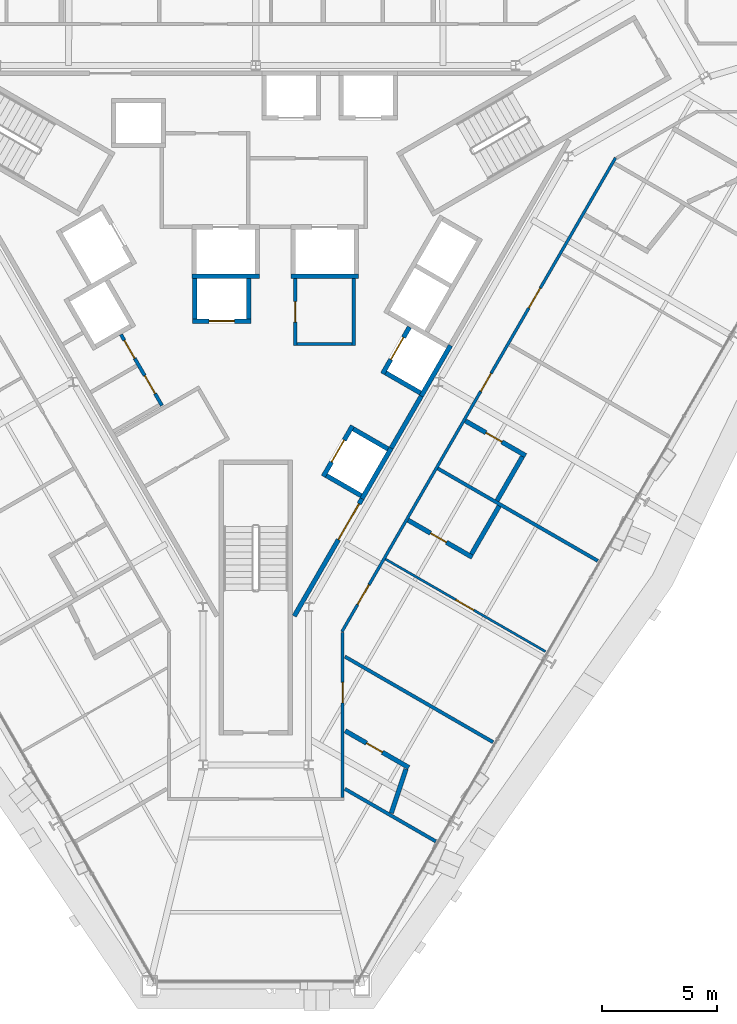
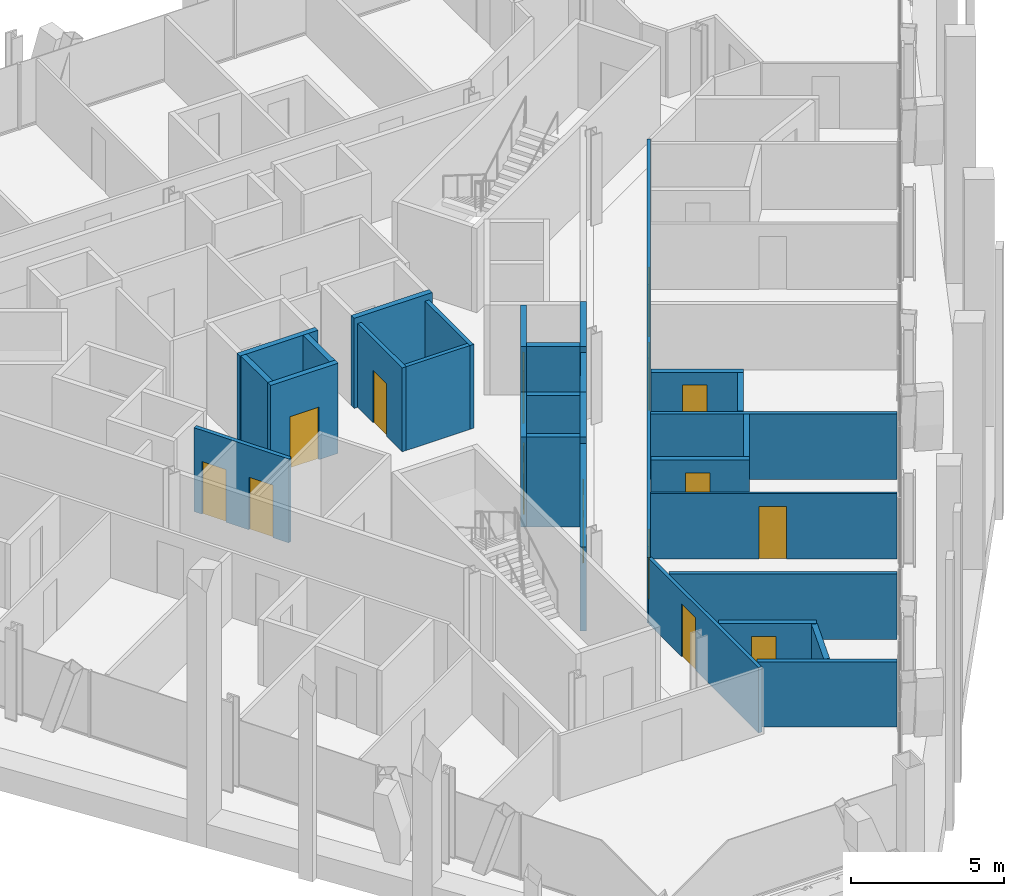
# One storey, part 14 of 19: 30 walls, 15 doors, 15 openings.
"""IFC4 building model written with IfcOpenShell, lengths in metres."""

import ifcopenshell
import ifcopenshell.guid

model = None  # the IFC model being written
_history = None  # IfcOwnerHistory: only IFC2X3 demands one
_inside = {}  # id of a spatial element -> (the spatial element, [elements in it])
_under = {}  # id of a project, library or spatial element -> (it, [spatial elements below it])
_declared = {}  # id of a project -> (the project, [libraries it declares])
_typed = {}  # id of a type object -> (the type object, [elements of that type])
_made_of = {}  # id of a material, layer set ... -> (it, [elements and type objects made of it])


def new_model(schema):
    """Start an empty IFC model of exactly this schema.

    Asked for "IFC4X3", IfcOpenShell would pick the latest addendum, in which some entities
    have other attributes; the version numbers below select the first issue.
    IFC2X3 requires an IfcOwnerHistory on every rooted entity: one is made here for all.
    """
    global model, _history
    if schema == "IFC4X3":
        model = ifcopenshell.file(schema_version=(4, 3, 0, 0))
    else:
        model = ifcopenshell.file(schema=schema)
    _inside.clear()
    _under.clear()
    _declared.clear()
    _typed.clear()
    _made_of.clear()
    _history = None
    if model.schema == "IFC2X3":
        org = make("IfcOrganization", Name="unknown")
        user = make(
            "IfcPersonAndOrganization",
            ThePerson=make("IfcPerson", FamilyName="unknown"),
            TheOrganization=org,
        )
        app = make(
            "IfcApplication",
            ApplicationDeveloper=org,
            Version="unknown",
            ApplicationFullName="unknown",
            ApplicationIdentifier="unknown",
        )
        _history = make(
            "IfcOwnerHistory",
            OwningUser=user,
            OwningApplication=app,
            ChangeAction="ADDED",
            CreationDate=0,
        )
    return model


def make(cls, **values):
    """One entity of the class cls with the attributes given. An attribute that is None is left unset."""
    return model.create_entity(
        cls, **{name: value for name, value in values.items() if value is not None}
    )


def rooted(cls, **values):
    """An entity with a GlobalId (a new one), such as an element, a storey or a relation."""
    return make(cls, GlobalId=ifcopenshell.guid.new(), OwnerHistory=_history, **values)


def si_unit(unit_type, name, prefix=None):
    """IfcSIUnit, for example si_unit("LENGTHUNIT", "METRE", prefix="MILLI")."""
    return make("IfcSIUnit", UnitType=unit_type, Prefix=prefix, Name=name)


def assignment(units):
    """IfcUnitAssignment: the units of a project."""
    return None if units is None else make("IfcUnitAssignment", Units=units)


def point(xyz):
    """IfcCartesianPoint."""
    return None if xyz is None else make("IfcCartesianPoint", Coordinates=xyz)


def direction(xyz):
    """IfcDirection."""
    return None if xyz is None else make("IfcDirection", DirectionRatios=xyz)


def frame(location, z_axis=None, x_axis=None):
    """IfcAxis2Placement3D, a coordinate frame: its origin and axes. An axis left out is left unset."""
    return make(
        "IfcAxis2Placement3D",
        Location=point(location),
        Axis=direction(z_axis),
        RefDirection=direction(x_axis),
    )


def frame_2d(location, x_axis=None):
    """IfcAxis2Placement2D, a coordinate frame in the plane: its origin and x axis."""
    return make(
        "IfcAxis2Placement2D", Location=point(location), RefDirection=direction(x_axis)
    )


def origin():
    """The frame at (0, 0, 0) with its axes left unset."""
    return frame((0.0, 0.0, 0.0))


def place(relative_to, where):
    """IfcLocalPlacement: puts the frame where relative to a parent placement (None: the world)."""
    return make(
        "IfcLocalPlacement", PlacementRelTo=relative_to, RelativePlacement=where
    )


def context(
    kind, dimensions, precision=None, world=None, true_north=None, identifier=None
):
    """IfcGeometricRepresentationContext, for example the 3D "Model" context."""
    return make(
        "IfcGeometricRepresentationContext",
        ContextIdentifier=identifier,
        ContextType=kind,
        CoordinateSpaceDimension=dimensions,
        Precision=precision,
        WorldCoordinateSystem=world,
        TrueNorth=true_north,
    )


def subcontext(parent, identifier, kind, view, scale=None):
    """IfcGeometricRepresentationSubContext, for example "Body" below "Model"."""
    return make(
        "IfcGeometricRepresentationSubContext",
        ContextIdentifier=identifier,
        ContextType=kind,
        ParentContext=parent,
        TargetScale=scale,
        TargetView=view,
    )


def project(units=None, contexts=None):
    """IfcProject with its units and contexts."""
    return rooted(
        "IfcProject",
        Name="project",
        RepresentationContexts=contexts,
        UnitsInContext=assignment(units),
    )


def spatial(cls, under=None, at=None, **own):
    """A site, building, storey or space (cls), placed at a placement, below another one or the project."""
    s = rooted(cls, ObjectPlacement=at, **own)
    if under is not None:
        _under.setdefault(under.id(), (under, []))[1].append(s)
    return s


def profile(cls, at=None, kind="AREA", **sizes):
    """A parametric profile (cls). Its sizes go by their IFC names, for example OverallWidth=200.0."""
    return make(cls, ProfileType=kind, Position=at, **sizes)


def rectangle(**sizes):
    """IfcRectangleProfileDef."""
    return profile("IfcRectangleProfileDef", **sizes)


def extrude(swept, where, along, depth):
    """IfcExtrudedAreaSolid: the profile swept, set in the frame where, extruded along a direction by depth."""
    return make(
        "IfcExtrudedAreaSolid",
        SweptArea=swept,
        Position=where,
        ExtrudedDirection=direction(along),
        Depth=depth,
    )


def shape(context_of_items, identifier, shape_type, items):
    """IfcShapeRepresentation: the items that make up one representation, for example the "Body"."""
    return make(
        "IfcShapeRepresentation",
        ContextOfItems=context_of_items,
        RepresentationIdentifier=identifier,
        RepresentationType=shape_type,
        Items=items,
    )


def material(Name=None, Category=None):
    """IfcMaterial."""
    return make("IfcMaterial", Name=Name, Category=Category)


def layer(
    of_material, thickness, ventilated=None, Name=None, Category=None, Priority=None
):
    """IfcMaterialLayer: one layer of a wall or slab, of a material (None: an air gap)."""
    return make(
        "IfcMaterialLayer",
        Material=of_material,
        LayerThickness=thickness,
        IsVentilated=ventilated,
        Name=Name,
        Category=Category,
        Priority=Priority,
    )


def layer_set(layers, Name=None):
    """IfcMaterialLayerSet."""
    return make("IfcMaterialLayerSet", MaterialLayers=layers, LayerSetName=Name)


def made_of(thing, what):
    """Note that an element or type object is made of a material, layer set ...; save() writes the relation."""
    if what is not None:
        _made_of.setdefault(what.id(), (what, []))[1].append(thing)
    return thing


def type_object(cls, material=None, **own):
    """A type object (cls), such as IfcWallType, which elements share."""
    return made_of(rooted(cls, **own), material)


def element(
    cls,
    number,
    at=None,
    inside=None,
    cuts=None,
    type_object=None,
    material=None,
    context=None,
    identifier="Body",
    shape_type=None,
    held_by="IfcProductDefinitionShape",
    body=None,
    shapes=None,
    **own,
):
    """One element of the class cls, such as IfcWall. Its Tag is "e" and its number.

    at: its placement. inside: the storey or other place that contains it. cuts: it is an
    opening in that element (IfcRelVoidsElement). A single representation is given by context,
    identifier, shape_type and body (its items); several are given by shapes. held_by: the class
    of the entity that holds the representations. save() writes the other relations.
    """
    e = rooted(cls, Tag="e%d" % number, ObjectPlacement=at, **own)
    if body is not None:
        shapes = [shape(context, identifier, shape_type, body)]
    if shapes is not None:
        e.Representation = make(held_by, Representations=shapes)
    if inside is not None:
        _inside.setdefault(inside.id(), (inside, []))[1].append(e)
    if cuts is not None:
        rooted(
            "IfcRelVoidsElement", RelatingBuildingElement=cuts, RelatedOpeningElement=e
        )
    if type_object is not None:
        _typed.setdefault(type_object.id(), (type_object, []))[1].append(e)
    return made_of(e, material)


def fill(opening, filler):
    """IfcRelFillsElement: the door or window that sits in an opening."""
    return rooted(
        "IfcRelFillsElement",
        RelatingOpeningElement=opening,
        RelatedBuildingElement=filler,
    )


def aggregate(whole, parts):
    """IfcRelAggregates: a whole, such as a stair, and the parts it consists of."""
    return rooted("IfcRelAggregates", RelatingObject=whole, RelatedObjects=parts)


def save(model, path):
    """Write the relations noted so far, then the file.

    IfcRelAggregates (storeys below a building ...), IfcRelContainedInSpatialStructure (elements
    in a storey), IfcRelDefinesByType, IfcRelAssociatesMaterial and IfcRelDeclares: one each for
    every whole, place, type object, material and project.
    """
    for whole, parts in _under.values():
        aggregate(whole, parts)
    for where, things in _inside.values():
        rooted(
            "IfcRelContainedInSpatialStructure",
            RelatedElements=things,
            RelatingStructure=where,
        )
    for kind, things in _typed.values():
        rooted("IfcRelDefinesByType", RelatedObjects=things, RelatingType=kind)
    for what, things in _made_of.values():
        rooted("IfcRelAssociatesMaterial", RelatedObjects=things, RelatingMaterial=what)
    for by, libraries in _declared.values():
        rooted("IfcRelDeclares", RelatingContext=by, RelatedDefinitions=libraries)
    model.write(path)


model = new_model("IFC4")

# Units and contexts
model_context = context("Model", 3, precision=1e-05, world=origin(), true_north=direction((0.0, 1.0)))
body_context = subcontext(model_context, "Body", "Model", "MODEL_VIEW")
ifc_project = project(units=[si_unit("LENGTHUNIT", "METRE"), si_unit("AREAUNIT", "SQUARE_METRE"), si_unit("VOLUMEUNIT", "CUBIC_METRE"), si_unit("PLANEANGLEUNIT", "RADIAN"), si_unit("MASSUNIT", "GRAM", prefix="KILO")], contexts=[model_context])

# Site, building, storey
site_placement = place(None, origin())
site = spatial("IfcSite", under=ifc_project, at=site_placement, CompositionType="ELEMENT")
building_placement = place(site_placement, origin())
building = spatial("IfcBuilding", under=site, at=building_placement, Name="Verrane Prism Tower", CompositionType="ELEMENT")
storey_placement = place(building_placement, frame((0.0, 0.0, 121.60009765625)))
storey = spatial("IfcBuildingStorey", under=building, at=storey_placement, Name="L29", CompositionType="ELEMENT", Elevation=121.60009765625)

# Wall, opening, door
ifc_material_1 = material(Name="Gypsum board partition", Category="other")
ifc_layer_1 = layer(ifc_material_1, 0.199951171875)
ifc_layer_set_1 = layer_set([ifc_layer_1], Name="CW-200 core boundary wall 2 h")
wall_type_1 = type_object("IfcWallType", Name="CW-200 core boundary wall 2 h", PredefinedType="PARTITIONING", material=ifc_layer_set_1)
wall_1_placement = place(storey_placement, frame((1.677490234375, -14.814697265625, 0.0), z_axis=(0.0, 0.0, 1.0), x_axis=(0.49999445743, 0.866028603765, 0.0)))
wall_1 = element("IfcWall", 1, at=wall_1_placement, inside=storey, type_object=wall_type_1, Name="Core boundary wall CW3-003", PredefinedType="PARTITIONING", context=body_context, shape_type="SweptSolid", body=[
    extrude(rectangle(XDim=5.90478515625, YDim=0.199951171875, at=frame_2d((2.952392578125, 0.0))), origin(), (0.0, 0.0, 1.0), 3.349853515625),
])
opening_1_placement = place(wall_1_placement, frame((3.85498046875, 0.0, 0.0)))
opening_1 = element("IfcOpeningElement", 2, at=opening_1_placement, cuts=wall_1, Name="Opening D29517", PredefinedType="OPENING", context=body_context, shape_type="SweptSolid", body=[
    extrude(rectangle(XDim=1.800048828125, YDim=2.10009765625, at=frame_2d((0.89990234375, 1.050048828125))), frame((0.0, 0.10986328125, 0.0), z_axis=(0.0, -1.0, 0.0), x_axis=(1.0, 0.0, 0.0)), (0.0, 0.0, 1.0), 0.219970703125),
])
ifc_material_2 = material(Name="Timber veneered door leaf", Category="wood")
door_type_1 = type_object("IfcDoorType", Name="DR-1800x2100 FD60 double leaf lift lobby", OperationType="NOTDEFINED", PredefinedType="DOOR", material=ifc_material_2)
door_1_placement = place(opening_1_placement, origin())
door_1 = element("IfcDoor", 3, at=door_1_placement, inside=storey, type_object=door_type_1, Name="Lift lobby door D29517", OperationType="DOUBLE_DOOR_SINGLE_SWING", OverallHeight=2.10009765625, OverallWidth=1.800048828125, PredefinedType="DOOR", context=body_context, shape_type="SweptSolid", body=[
    extrude(rectangle(XDim=1.800048828125, YDim=2.10009765625, at=frame_2d((0.89990234375, 1.050048828125))), frame((0.0, 0.02490234375, 0.0), z_axis=(0.0, -1.0, 0.0), x_axis=(1.0, 0.0, 0.0)), (0.0, 0.0, 1.0), 0.050048828125),
])
fill(opening_1, door_1)

# Wall
wall_2_placement = place(storey_placement, frame((5.906005859375, -7.489990234375, 0.0), z_axis=(0.0, 0.0, 1.0), x_axis=(0.500252727967, 0.865879442048, 0.0)))
element("IfcWall", 4, at=wall_2_placement, inside=storey, type_object=wall_type_1, Name="Core boundary wall CW3-005", PredefinedType="PARTITIONING", context=body_context, shape_type="SweptSolid", body=[
    extrude(rectangle(XDim=2.616943359375, YDim=0.199951171875, at=frame_2d((1.30859375, 0.0))), origin(), (0.0, 0.0, 1.0), 3.349853515625),
])

# Wall, opening, door
ifc_material_3 = material(Name="Gypsum board shaft wall assembly", Category="other")
ifc_layer_2 = layer(ifc_material_3, 0.199951171875)
ifc_layer_set_2 = layer_set([ifc_layer_2], Name="HW-200 lift shaft wall 2 h")
wall_type_2 = type_object("IfcWallType", Name="HW-200 lift shaft wall 2 h", PredefinedType="PARTITIONING", material=ifc_layer_set_2)
wall_3_placement = place(storey_placement, frame((-2.7548828125, -1.949951171875, 0.0), z_axis=(0.0, 0.0, 1.0), x_axis=(1.0, 0.0, 0.0)))
wall_3 = element("IfcWall", 5, at=wall_3_placement, inside=storey, type_object=wall_type_2, Name="Lift shaft wall", PredefinedType="PARTITIONING", context=body_context, shape_type="SweptSolid", body=[
    extrude(rectangle(XDim=2.5498046875, YDim=0.199951171875, at=frame_2d((1.27490234375, 0.0))), origin(), (0.0, 0.0, 1.0), 3.599853515625),
])
opening_2_placement = place(wall_3_placement, frame((0.72509765625, 0.0, 0.0)))
opening_2 = element("IfcOpeningElement", 6, at=opening_2_placement, cuts=wall_3, Name="Opening D29504", PredefinedType="OPENING", context=body_context, shape_type="SweptSolid", body=[
    extrude(rectangle(XDim=1.10009765625, YDim=2.10009765625, at=frame_2d((0.550048828125, 1.050048828125))), frame((0.0, 0.10986328125, 0.0), z_axis=(0.0, -1.0, 0.0), x_axis=(1.0, 0.0, 0.0)), (0.0, 0.0, 1.0), 0.219970703125),
])
ifc_material_4 = material(Name="Stainless steel sliding landing door", Category="steel")
door_type_2 = type_object("IfcDoorType", Name="LD-1100x2100 lift landing door FD90 sliding", OperationType="NOTDEFINED", PredefinedType="DOOR", material=ifc_material_4)
door_2_placement = place(opening_2_placement, origin())
door_2 = element("IfcDoor", 7, at=door_2_placement, inside=storey, type_object=door_type_2, Name="Bank A lift 2 landing door", OperationType="SLIDING_TO_RIGHT", OverallHeight=2.10009765625, OverallWidth=1.10009765625, PredefinedType="DOOR", context=body_context, shape_type="SweptSolid", body=[
    extrude(rectangle(XDim=1.10009765625, YDim=2.10009765625, at=frame_2d((0.550048828125, 1.050048828125))), frame((0.0, 0.02490234375, 0.0), z_axis=(0.0, -1.0, 0.0), x_axis=(1.0, 0.0, 0.0)), (0.0, 0.0, 1.0), 0.050048828125),
])
fill(opening_2, door_2)

# Walls
wall_4_placement = place(storey_placement, frame((-2.784912109375, 0.0, 0.0), z_axis=(0.0, 0.0, 1.0), x_axis=(1.0, 0.0, 0.0)))
element("IfcWall", 8, at=wall_4_placement, inside=storey, type_object=wall_type_2, Name="Lift shaft wall", PredefinedType="PARTITIONING", context=body_context, shape_type="SweptSolid", body=[
    extrude(rectangle(XDim=2.949951171875, YDim=0.199951171875, at=frame_2d((1.47509765625, 0.0))), origin(), (0.0, 0.0, 1.0), 3.599853515625),
])
wall_5_placement = place(storey_placement, frame((1.52490234375, 0.0, 0.0), z_axis=(0.0, 0.0, 1.0), x_axis=(1.0, 0.0, 0.0)))
element("IfcWall", 9, at=wall_5_placement, inside=storey, type_object=wall_type_2, Name="Lift shaft wall", PredefinedType="PARTITIONING", context=body_context, shape_type="SweptSolid", body=[
    extrude(rectangle(XDim=2.9501953125, YDim=0.199951171875, at=frame_2d((1.47509765625, 0.0))), origin(), (0.0, 0.0, 1.0), 3.599853515625),
])
wall_6_placement = place(storey_placement, frame((4.63037109375, -9.69970703125, 0.0), z_axis=(0.0, 0.0, 1.0), x_axis=(0.500062241894, 0.865989465428, 0.0)))
element("IfcWall", 10, at=wall_6_placement, inside=storey, type_object=wall_type_2, Name="Lift shaft wall", PredefinedType="PARTITIONING", context=body_context, shape_type="SweptSolid", body=[
    extrude(rectangle(XDim=2.550048828125, YDim=0.199951171875, at=frame_2d((1.27490234375, 0.0))), origin(), (0.0, 0.0, 1.0), 3.599853515625),
])
wall_7_placement = place(storey_placement, frame((7.215576171875, -5.222412109375, 0.0), z_axis=(0.0, 0.0, 1.0), x_axis=(0.499990435942, 0.866030925526, 0.0)))
element("IfcWall", 11, at=wall_7_placement, inside=storey, type_object=wall_type_2, Name="Lift shaft wall", PredefinedType="PARTITIONING", context=body_context, shape_type="SweptSolid", body=[
    extrude(rectangle(XDim=2.5498046875, YDim=0.199951171875, at=frame_2d((1.27490234375, 0.0))), origin(), (0.0, 0.0, 1.0), 3.599853515625),
])

# Wall, opening, door
wall_8_placement = place(storey_placement, frame((2.941650390625, -8.724853515625, 0.0), z_axis=(0.0, 0.0, 1.0), x_axis=(0.500020783669, 0.866013403995, 0.0)))
wall_8 = element("IfcWall", 12, at=wall_8_placement, inside=storey, type_object=wall_type_2, Name="Lift shaft wall", PredefinedType="PARTITIONING", context=body_context, shape_type="SweptSolid", body=[
    extrude(rectangle(XDim=2.55029296875, YDim=0.199951171875, at=frame_2d((1.275146484375, 0.0))), origin(), (0.0, 0.0, 1.0), 3.599853515625),
])
opening_3_placement = place(wall_8_placement, frame((0.72509765625, 0.0, 0.0)))
opening_3 = element("IfcOpeningElement", 13, at=opening_3_placement, cuts=wall_8, Name="Opening D29506", PredefinedType="OPENING", context=body_context, shape_type="SweptSolid", body=[
    extrude(rectangle(XDim=1.10009765625, YDim=2.10009765625, at=frame_2d((0.550048828125, 1.050048828125))), frame((0.0, 0.10986328125, 0.0), z_axis=(0.0, -1.0, 0.0), x_axis=(1.0, 0.0, 0.0)), (0.0, 0.0, 1.0), 0.219970703125),
])
door_3_placement = place(opening_3_placement, origin())
door_3 = element("IfcDoor", 14, at=door_3_placement, inside=storey, type_object=door_type_2, Name="Bank A lift 4 landing door", OperationType="SLIDING_TO_RIGHT", OverallHeight=2.10009765625, OverallWidth=1.10009765625, PredefinedType="DOOR", context=body_context, shape_type="SweptSolid", body=[
    extrude(rectangle(XDim=1.10009765625, YDim=2.10009765625, at=frame_2d((0.550048828125, 1.050048828125))), frame((0.0, 0.02490234375, 0.0), z_axis=(0.0, -1.0, 0.0), x_axis=(1.0, 0.0, 0.0)), (0.0, 0.0, 1.0), 0.050048828125),
])
fill(opening_3, door_3)

wall_9_placement = place(storey_placement, frame((5.52685546875, -4.247314453125, 0.0), z_axis=(0.0, 0.0, 1.0), x_axis=(0.499938297808, 0.866061024631, 0.0)))
wall_9 = element("IfcWall", 15, at=wall_9_placement, inside=storey, type_object=wall_type_2, Name="Lift shaft wall", PredefinedType="PARTITIONING", context=body_context, shape_type="SweptSolid", body=[
    extrude(rectangle(XDim=2.349853515625, YDim=0.199951171875, at=frame_2d((1.1748046875, 0.0))), origin(), (0.0, 0.0, 1.0), 3.599853515625),
])
opening_4_placement = place(wall_9_placement, frame((0.72509765625, 0.0, 0.0)))
opening_4 = element("IfcOpeningElement", 16, at=opening_4_placement, cuts=wall_9, Name="Opening D29507", PredefinedType="OPENING", context=body_context, shape_type="SweptSolid", body=[
    extrude(rectangle(XDim=1.10009765625, YDim=2.10009765625, at=frame_2d((0.550048828125, 1.050048828125))), frame((0.0, 0.10986328125, 0.0), z_axis=(0.0, -1.0, 0.0), x_axis=(1.0, 0.0, 0.0)), (0.0, 0.0, 1.0), 0.219970703125),
])
door_4_placement = place(opening_4_placement, origin())
door_4 = element("IfcDoor", 17, at=door_4_placement, inside=storey, type_object=door_type_2, Name="Bank A lift 5 landing door", OperationType="SLIDING_TO_LEFT", OverallHeight=2.10009765625, OverallWidth=1.10009765625, PredefinedType="DOOR", context=body_context, shape_type="SweptSolid", body=[
    extrude(rectangle(XDim=1.10009765625, YDim=2.10009765625, at=frame_2d((0.550048828125, 1.050048828125))), frame((0.0, 0.02490234375, 0.0), z_axis=(0.0, -1.0, 0.0), x_axis=(1.0, 0.0, 0.0)), (0.0, 0.0, 1.0), 0.050048828125),
])
fill(opening_4, door_4)

# Walls
for number, where, z_axis, x_axis, name in (
    (18, (-0.304931640625, -1.85009765625, 0.0), (0.0, 0.0, 1.0), (0.0, 1.0, 0.0), "Lift shaft wall"),
    (19, (-2.655029296875, -1.85009765625, 0.0), (0.0, 0.0, 1.0), (0.0, 1.0, 0.0), "Lift shaft wall"),
    (20, (7.178955078125, -5.085693359375, 0.0), (0.0, 0.0, 1.0), (-0.866036909293, 0.499980071345, 0.0), "Lift shaft wall"),
):
    element("IfcWall", number, at=place(storey_placement, frame(where, z_axis=z_axis, x_axis=x_axis)), inside=storey, type_object=wall_type_2, Name=name, PredefinedType="PARTITIONING", context=body_context, shape_type="SweptSolid", body=[
        extrude(rectangle(XDim=1.75, YDim=0.199951171875, at=frame_2d((0.875, 0.0))), origin(), (0.0, 0.0, 1.0), 3.599853515625),
    ])
wall_10_placement = place(storey_placement, frame((5.768798828125, -7.528076171875, 0.0), z_axis=(0.0, 0.0, 1.0), x_axis=(-0.866002029911, 0.500040482552, 0.0)))
element("IfcWall", 21, at=wall_10_placement, inside=storey, type_object=wall_type_2, Name="Lift shaft wall", PredefinedType="PARTITIONING", context=body_context, shape_type="SweptSolid", body=[
    extrude(rectangle(XDim=1.749755859375, YDim=0.199951171875, at=frame_2d((0.875, 0.0))), origin(), (0.0, 0.0, 1.0), 3.599853515625),
])
wall_11_placement = place(storey_placement, frame((4.593994140625, -9.563232421875, 0.0), z_axis=(0.0, 0.0, 1.0), x_axis=(-0.866036909293, 0.499980071345, 0.0)))
element("IfcWall", 22, at=wall_11_placement, inside=storey, type_object=wall_type_2, Name="Lift shaft wall", PredefinedType="PARTITIONING", context=body_context, shape_type="SweptSolid", body=[
    extrude(rectangle(XDim=1.75, YDim=0.199951171875, at=frame_2d((0.875, 0.0))), origin(), (0.0, 0.0, 1.0), 3.599853515625),
])

# Wall, opening, door
ifc_material_5 = material(Name="Gypsum board partition", Category="other")
ifc_layer_3 = layer(ifc_material_5, 0.10009765625)
ifc_layer_set_3 = layer_set([ifc_layer_3], Name="PW-100 room partition")
wall_type_3 = type_object("IfcWallType", Name="PW-100 room partition", PredefinedType="PARTITIONING", material=ifc_layer_set_3)
wall_12_placement = place(storey_placement, frame((5.654052734375, -12.331298828125, 0.0), z_axis=(0.0, 0.0, 1.0), x_axis=(0.866051796338, -0.49995428397, 0.0)))
wall_12 = element("IfcWall", 23, at=wall_12_placement, inside=storey, type_object=wall_type_3, Name="Room partition 051", PredefinedType="PARTITIONING", context=body_context, shape_type="SweptSolid", body=[
    extrude(rectangle(XDim=8.052490234375, YDim=0.10009765625, at=frame_2d((4.0263671875, 0.0))), origin(), (0.0, 0.0, 1.0), 2.61279296875),
])
opening_5_placement = place(wall_12_placement, frame((3.53759765625, 0.0, 0.0)))
opening_5 = element("IfcOpeningElement", 24, at=opening_5_placement, cuts=wall_12, Name="Opening D29031", PredefinedType="OPENING", context=body_context, shape_type="SweptSolid", body=[
    extrude(rectangle(XDim=0.89990234375, YDim=2.10009765625, at=frame_2d((0.449951171875, 1.050048828125))), frame((0.0, 0.06005859375, 0.0), z_axis=(0.0, -1.0, 0.0), x_axis=(1.0, 0.0, 0.0)), (0.0, 0.0, 1.0), 0.1201171875),
])
ifc_material_6 = material(Name="Timber veneered door leaf", Category="wood")
door_type_3 = type_object("IfcDoorType", Name="DR-900x2100 single leaf inner", OperationType="NOTDEFINED", PredefinedType="DOOR", material=ifc_material_6)
door_5_placement = place(opening_5_placement, origin())
door_5 = element("IfcDoor", 25, at=door_5_placement, inside=storey, type_object=door_type_3, Name="Suite Living Room door", OperationType="SINGLE_SWING_LEFT", OverallHeight=2.10009765625, OverallWidth=0.89990234375, PredefinedType="DOOR", context=body_context, shape_type="SweptSolid", body=[
    extrude(rectangle(XDim=0.89990234375, YDim=2.10009765625, at=frame_2d((0.449951171875, 1.050048828125))), frame((0.0, 0.02490234375, 0.0), z_axis=(0.0, -1.0, 0.0), x_axis=(1.0, 0.0, 0.0)), (0.0, 0.0, 1.0), 0.050048828125),
])
fill(opening_5, door_5)

ifc_material_7 = material(Name="Gypsum board partition", Category="other")
ifc_layer_4 = layer(ifc_material_7, 0.125)
ifc_layer_set_4 = layer_set([ifc_layer_4], Name="PW-125 corridor wall 1 h")
wall_type_4 = type_object("IfcWallType", Name="PW-125 corridor wall 1 h", PredefinedType="PARTITIONING", material=ifc_layer_set_4)
wall_13_placement = place(storey_placement, frame((3.787109375, -15.52490234375, 0.0), z_axis=(0.0, 0.0, 1.0), x_axis=(0.0, -1.0, 0.0)))
wall_13 = element("IfcWall", 26, at=wall_13_placement, inside=storey, type_object=wall_type_4, Name="Corridor wall 044", PredefinedType="PARTITIONING", context=body_context, shape_type="SweptSolid", body=[
    extrude(rectangle(XDim=7.197021484375, YDim=0.125, at=frame_2d((3.5986328125, 0.0))), origin(), (0.0, 0.0, 1.0), 2.61279296875),
])
opening_6_placement = place(wall_13_placement, frame((2.177001953125, 0.0, 0.0)))
opening_6 = element("IfcOpeningElement", 27, at=opening_6_placement, cuts=wall_13, Name="Opening D29028", PredefinedType="OPENING", context=body_context, shape_type="SweptSolid", body=[
    extrude(rectangle(XDim=0.89990234375, YDim=2.10009765625, at=frame_2d((0.449951171875, 1.050048828125))), frame((0.0, 0.072509765625, 0.0), z_axis=(0.0, -1.0, 0.0), x_axis=(1.0, 0.0, 0.0)), (0.0, 0.0, 1.0), 0.14501953125),
])
ifc_material_8 = material(Name="Timber veneered door leaf", Category="wood")
door_type_4 = type_object("IfcDoorType", Name="DR-900x2100 FD20 single leaf unit", OperationType="NOTDEFINED", PredefinedType="DOOR", material=ifc_material_8)
door_6_placement = place(opening_6_placement, origin())
door_6 = element("IfcDoor", 28, at=door_6_placement, inside=storey, type_object=door_type_4, Name="Guest Room door", OperationType="SINGLE_SWING_LEFT", OverallHeight=2.10009765625, OverallWidth=0.89990234375, PredefinedType="DOOR", context=body_context, shape_type="SweptSolid", body=[
    extrude(rectangle(XDim=0.89990234375, YDim=2.10009765625, at=frame_2d((0.449951171875, 1.050048828125))), frame((0.0, 0.02490234375, 0.0), z_axis=(0.0, -1.0, 0.0), x_axis=(1.0, 0.0, 0.0)), (0.0, 0.0, 1.0), 0.050048828125),
])
fill(opening_6, door_6)

# Wall, openings, doors
wall_14_placement = place(storey_placement, frame((15.684326171875, 5.1650390625, 0.0), z_axis=(0.0, 0.0, 1.0), x_axis=(-0.500027787016, -0.866009360349, 0.0)))
wall_14 = element("IfcWall", 29, at=wall_14_placement, inside=storey, type_object=wall_type_4, Name="Corridor wall 048", PredefinedType="PARTITIONING", context=body_context, shape_type="SweptSolid", body=[
    extrude(rectangle(XDim=23.855712890625, YDim=0.125, at=frame_2d((11.927734375, 0.0))), origin(), (0.0, 0.0, 1.0), 2.61279296875),
])
opening_7_placement = place(wall_14_placement, frame((21.4931640625, 0.0, 0.0)))
opening_7 = element("IfcOpeningElement", 30, at=opening_7_placement, cuts=wall_14, Name="Opening D29030", PredefinedType="OPENING", context=body_context, shape_type="SweptSolid", body=[
    extrude(rectangle(XDim=1.0, YDim=2.10009765625, at=frame_2d((0.5, 1.050048828125))), frame((0.0, 0.072509765625, 0.0), z_axis=(0.0, -1.0, 0.0), x_axis=(1.0, 0.0, 0.0)), (0.0, 0.0, 1.0), 0.14501953125),
])
opening_8_placement = place(wall_14_placement, frame((10.853271484375, 0.0, 0.0)))
opening_8 = element("IfcOpeningElement", 31, at=opening_8_placement, cuts=wall_14, Name="Opening D29033", PredefinedType="OPENING", context=body_context, shape_type="SweptSolid", body=[
    extrude(rectangle(XDim=0.89990234375, YDim=2.10009765625, at=frame_2d((0.449951171875, 1.050048828125))), frame((0.0, 0.072509765625, 0.0), z_axis=(0.0, -1.0, 0.0), x_axis=(1.0, 0.0, 0.0)), (0.0, 0.0, 1.0), 0.14501953125),
])
opening_9_placement = place(wall_14_placement, frame((6.55810546875, 0.0, 0.0)))
opening_9 = element("IfcOpeningElement", 32, at=opening_9_placement, cuts=wall_14, Name="Opening D29035", PredefinedType="OPENING", context=body_context, shape_type="SweptSolid", body=[
    extrude(rectangle(XDim=1.0, YDim=2.10009765625, at=frame_2d((0.5, 1.050048828125))), frame((0.0, 0.072509765625, 0.0), z_axis=(0.0, -1.0, 0.0), x_axis=(1.0, 0.0, 0.0)), (0.0, 0.0, 1.0), 0.14501953125),
])
ifc_material_9 = material(Name="Timber veneered door leaf", Category="wood")
door_type_5 = type_object("IfcDoorType", Name="DR-1000x2100 FD20 single leaf unit", OperationType="NOTDEFINED", PredefinedType="DOOR", material=ifc_material_9)
door_7_placement = place(opening_7_placement, origin())
door_7 = element("IfcDoor", 33, at=door_7_placement, inside=storey, type_object=door_type_5, Name="Suite Living Room door", OperationType="SINGLE_SWING_LEFT", OverallHeight=2.10009765625, OverallWidth=1.0, PredefinedType="DOOR", context=body_context, shape_type="SweptSolid", body=[
    extrude(rectangle(XDim=1.0, YDim=2.10009765625, at=frame_2d((0.5, 1.050048828125))), frame((0.0, 0.02490234375, 0.0), z_axis=(0.0, -1.0, 0.0), x_axis=(1.0, 0.0, 0.0)), (0.0, 0.0, 1.0), 0.050048828125),
])
fill(opening_7, door_7)
door_8_placement = place(opening_9_placement, origin())
door_8 = element("IfcDoor", 34, at=door_8_placement, inside=storey, type_object=door_type_5, Name="Suite Living Room door", OperationType="SINGLE_SWING_RIGHT", OverallHeight=2.10009765625, OverallWidth=1.0, PredefinedType="DOOR", context=body_context, shape_type="SweptSolid", body=[
    extrude(rectangle(XDim=1.0, YDim=2.10009765625, at=frame_2d((0.5, 1.050048828125))), frame((0.0, 0.02490234375, 0.0), z_axis=(0.0, -1.0, 0.0), x_axis=(1.0, 0.0, 0.0)), (0.0, 0.0, 1.0), 0.050048828125),
])
fill(opening_9, door_8)
door_9_placement = place(opening_8_placement, origin())
door_9 = element("IfcDoor", 35, at=door_9_placement, inside=storey, type_object=door_type_4, Name="Junior Suite door", OperationType="SINGLE_SWING_RIGHT", OverallHeight=2.10009765625, OverallWidth=0.89990234375, PredefinedType="DOOR", context=body_context, shape_type="SweptSolid", body=[
    extrude(rectangle(XDim=0.89990234375, YDim=2.10009765625, at=frame_2d((0.449951171875, 1.050048828125))), frame((0.0, 0.02490234375, 0.0), z_axis=(0.0, -1.0, 0.0), x_axis=(1.0, 0.0, 0.0)), (0.0, 0.0, 1.0), 0.050048828125),
])
fill(opening_8, door_9)

# Walls
ifc_material_10 = material(Name="Gypsum board partition", Category="other")
ifc_layer_5 = layer(ifc_material_10, 0.14990234375)
ifc_layer_set_5 = layer_set([ifc_layer_5], Name="PW-150 demising wall 1 h")
wall_type_5 = type_object("IfcWallType", Name="PW-150 demising wall 1 h", PredefinedType="PARTITIONING", material=ifc_layer_set_5)
wall_15_placement = place(storey_placement, frame((3.886962890625, -22.349609375, 0.0), z_axis=(0.0, 0.0, 1.0), x_axis=(0.866046917185, -0.499962735845, 0.0)))
element("IfcWall", 36, at=wall_15_placement, inside=storey, type_object=wall_type_5, Name="Demising wall 045", PredefinedType="PARTITIONING", context=body_context, shape_type="SweptSolid", body=[
    extrude(rectangle(XDim=4.573486328125, YDim=0.14990234375, at=frame_2d((2.28662109375, 0.0))), origin(), (0.0, 0.0, 1.0), 2.61279296875),
])
wall_16_placement = place(storey_placement, frame((3.886962890625, -16.580810546875, 0.0), z_axis=(0.0, 0.0, 1.0), x_axis=(0.866008413041, -0.500029427677, 0.0)))
element("IfcWall", 37, at=wall_16_placement, inside=storey, type_object=wall_type_5, Name="Demising wall 047", PredefinedType="PARTITIONING", context=body_context, shape_type="SweptSolid", body=[
    extrude(rectangle(XDim=7.4580078125, YDim=0.14990234375, at=frame_2d((3.72900390625, 0.0))), origin(), (0.0, 0.0, 1.0), 2.61279296875),
])
wall_17_placement = place(storey_placement, frame((7.93603515625, -8.379150390625, 0.0), z_axis=(0.0, 0.0, 1.0), x_axis=(0.866044217767, -0.499967411811, 0.0)))
element("IfcWall", 38, at=wall_17_placement, inside=storey, type_object=wall_type_5, Name="Demising wall 055", PredefinedType="PARTITIONING", context=body_context, shape_type="SweptSolid", body=[
    extrude(rectangle(XDim=8.05224609375, YDim=0.14990234375, at=frame_2d((4.026123046875, 0.0))), origin(), (0.0, 0.0, 1.0), 2.61279296875),
])

# Wall, opening, door
ifc_material_11 = material(Name="Gypsum board partition", Category="other")
ifc_layer_6 = layer(ifc_material_11, 0.199951171875)
ifc_layer_set_6 = layer_set([ifc_layer_6], Name="PW-200 plumbing wall")
wall_type_6 = type_object("IfcWallType", Name="PW-200 plumbing wall", PredefinedType="PARTITIONING", material=ifc_layer_set_6)
wall_18_placement = place(storey_placement, frame((6.673583984375, -21.41796875, 0.0), z_axis=(0.0, 0.0, 1.0), x_axis=(-0.866105631149, 0.499861016376, 0.0)))
wall_18 = element("IfcWall", 39, at=wall_18_placement, inside=storey, type_object=wall_type_6, Name="Plumbing wall 046", PredefinedType="PARTITIONING", context=body_context, shape_type="SweptSolid", body=[
    extrude(rectangle(XDim=3.203125, YDim=0.199951171875, at=frame_2d((1.6015625, 0.0))), origin(), (0.0, 0.0, 1.0), 2.61279296875),
])
opening_10_placement = place(wall_18_placement, frame((1.332763671875, 0.0, 0.0)))
opening_10 = element("IfcOpeningElement", 40, at=opening_10_placement, cuts=wall_18, Name="Opening D29029", PredefinedType="OPENING", context=body_context, shape_type="SweptSolid", body=[
    extrude(rectangle(XDim=0.800048828125, YDim=2.10009765625, at=frame_2d((0.39990234375, 1.050048828125))), frame((0.0, 0.10986328125, 0.0), z_axis=(0.0, -1.0, 0.0), x_axis=(1.0, 0.0, 0.0)), (0.0, 0.0, 1.0), 0.219970703125),
])
ifc_material_12 = material(Name="Timber veneered door leaf", Category="wood")
door_type_6 = type_object("IfcDoorType", Name="DR-800x2100 single leaf bath", OperationType="NOTDEFINED", PredefinedType="DOOR", material=ifc_material_12)
door_10_placement = place(opening_10_placement, origin())
door_10 = element("IfcDoor", 41, at=door_10_placement, inside=storey, type_object=door_type_6, Name="En-Suite door", OperationType="SINGLE_SWING_RIGHT", OverallHeight=2.10009765625, OverallWidth=0.800048828125, PredefinedType="DOOR", context=body_context, shape_type="SweptSolid", body=[
    extrude(rectangle(XDim=0.800048828125, YDim=2.10009765625, at=frame_2d((0.39990234375, 1.050048828125))), frame((0.0, 0.02490234375, 0.0), z_axis=(0.0, -1.0, 0.0), x_axis=(1.0, 0.0, 0.0)), (0.0, 0.0, 1.0), 0.050048828125),
])
fill(opening_10, door_10)

# Wall
wall_19_placement = place(storey_placement, frame((5.90673828125, -23.406005859375, 0.0), z_axis=(0.0, 0.0, 1.0), x_axis=(0.316661020634, 0.948538769904, 0.0)))
element("IfcWall", 42, at=wall_19_placement, inside=storey, type_object=wall_type_6, Name="Plumbing wall 052", PredefinedType="PARTITIONING", context=body_context, shape_type="SweptSolid", body=[
    extrude(rectangle(XDim=2.028564453125, YDim=0.199951171875, at=frame_2d((1.01416015625, 0.0))), origin(), (0.0, 0.0, 1.0), 2.61279296875),
])

# Wall, opening, door
wall_20_placement = place(storey_placement, frame((6.640380859375, -10.6328125, 0.0), z_axis=(0.0, 0.0, 1.0), x_axis=(0.866022073929, -0.500005767435, 0.0)))
wall_20 = element("IfcWall", 43, at=wall_20_placement, inside=storey, type_object=wall_type_6, Name="Plumbing wall 053", PredefinedType="PARTITIONING", context=body_context, shape_type="SweptSolid", body=[
    extrude(rectangle(XDim=3.232421875, YDim=0.199951171875, at=frame_2d((1.6162109375, 0.0))), origin(), (0.0, 0.0, 1.0), 2.61279296875),
])
opening_11_placement = place(wall_20_placement, frame((1.132568359375, 0.0, 0.0)))
opening_11 = element("IfcOpeningElement", 44, at=opening_11_placement, cuts=wall_20, Name="Opening D29032", PredefinedType="OPENING", context=body_context, shape_type="SweptSolid", body=[
    extrude(rectangle(XDim=0.800048828125, YDim=2.10009765625, at=frame_2d((0.39990234375, 1.050048828125))), frame((0.0, 0.10986328125, 0.0), z_axis=(0.0, -1.0, 0.0), x_axis=(1.0, 0.0, 0.0)), (0.0, 0.0, 1.0), 0.219970703125),
])
door_11_placement = place(opening_11_placement, origin())
door_11 = element("IfcDoor", 45, at=door_11_placement, inside=storey, type_object=door_type_6, Name="En-Suite door", OperationType="SINGLE_SWING_RIGHT", OverallHeight=2.10009765625, OverallWidth=0.800048828125, PredefinedType="DOOR", context=body_context, shape_type="SweptSolid", body=[
    extrude(rectangle(XDim=0.800048828125, YDim=2.10009765625, at=frame_2d((0.39990234375, 1.050048828125))), frame((0.0, 0.02490234375, 0.0), z_axis=(0.0, -1.0, 0.0), x_axis=(1.0, 0.0, 0.0)), (0.0, 0.0, 1.0), 0.050048828125),
])
fill(opening_11, door_11)

wall_21_placement = place(storey_placement, frame((11.7666015625, -7.819091796875, 0.0), z_axis=(0.0, 0.0, 1.0), x_axis=(-0.866009954834, 0.500026757412, 0.0)))
wall_21 = element("IfcWall", 46, at=wall_21_placement, inside=storey, type_object=wall_type_6, Name="Plumbing wall 056", PredefinedType="PARTITIONING", context=body_context, shape_type="SweptSolid", body=[
    extrude(rectangle(XDim=3.032470703125, YDim=0.199951171875, at=frame_2d((1.51611328125, 0.0))), origin(), (0.0, 0.0, 1.0), 2.61279296875),
])
opening_12_placement = place(wall_21_placement, frame((1.199951171875, 0.0, 0.0)))
opening_12 = element("IfcOpeningElement", 47, at=opening_12_placement, cuts=wall_21, Name="Opening D29034", PredefinedType="OPENING", context=body_context, shape_type="SweptSolid", body=[
    extrude(rectangle(XDim=0.800048828125, YDim=2.10009765625, at=frame_2d((0.39990234375, 1.050048828125))), frame((0.0, 0.10986328125, 0.0), z_axis=(0.0, -1.0, 0.0), x_axis=(1.0, 0.0, 0.0)), (0.0, 0.0, 1.0), 0.219970703125),
])
door_12_placement = place(opening_12_placement, origin())
door_12 = element("IfcDoor", 48, at=door_12_placement, inside=storey, type_object=door_type_6, Name="En-Suite door", OperationType="SINGLE_SWING_LEFT", OverallHeight=2.10009765625, OverallWidth=0.800048828125, PredefinedType="DOOR", context=body_context, shape_type="SweptSolid", body=[
    extrude(rectangle(XDim=0.800048828125, YDim=2.10009765625, at=frame_2d((0.39990234375, 1.050048828125))), frame((0.0, 0.02490234375, 0.0), z_axis=(0.0, -1.0, 0.0), x_axis=(1.0, 0.0, 0.0)), (0.0, 0.0, 1.0), 0.050048828125),
])
fill(opening_12, door_12)

# Walls
wall_22_placement = place(storey_placement, frame((9.403076171875, -12.1123046875, 0.0), z_axis=(0.0, 0.0, 1.0), x_axis=(0.500103096288, 0.865965872932, 0.0)))
element("IfcWall", 49, at=wall_22_placement, inside=storey, type_object=wall_type_6, Name="Plumbing wall 057", PredefinedType="PARTITIONING", context=body_context, shape_type="SweptSolid", body=[
    extrude(rectangle(XDim=2.42431640625, YDim=0.199951171875, at=frame_2d((1.212158203125, 0.0))), origin(), (0.0, 0.0, 1.0), 2.61279296875),
])
wall_23_placement = place(storey_placement, frame((10.52001953125, -9.77880859375, 0.0), z_axis=(0.0, 0.0, 1.0), x_axis=(0.499935013329, 0.866062920605, 0.0)))
element("IfcWall", 50, at=wall_23_placement, inside=storey, type_object=wall_type_6, Name="Plumbing wall 058", PredefinedType="PARTITIONING", context=body_context, shape_type="SweptSolid", body=[
    extrude(rectangle(XDim=2.220458984375, YDim=0.199951171875, at=frame_2d((1.1103515625, 0.0))), origin(), (0.0, 0.0, 1.0), 2.61279296875),
])

# Wall, openings, doors
ifc_material_13 = material(Name="Gypsum board partition", Category="other")
ifc_layer_7 = layer(ifc_material_13, 0.14990234375)
ifc_layer_set_7 = layer_set([ifc_layer_7], Name="RS-150 riser enclosure wall 1 h")
wall_type_7 = type_object("IfcWallType", Name="RS-150 riser enclosure wall 1 h", PredefinedType="PARTITIONING", material=ifc_layer_set_7)
wall_24_placement = place(storey_placement, frame((-4.090576171875, -5.635009765625, 0.0), z_axis=(0.0, 0.0, 1.0), x_axis=(-0.499948934428, 0.866054884499, 0.0)))
wall_24 = element("IfcWall", 51, at=wall_24_placement, inside=storey, type_object=wall_type_7, Name="Riser wall RS3-005", PredefinedType="PARTITIONING", context=body_context, shape_type="SweptSolid", body=[
    extrude(rectangle(XDim=3.576904296875, YDim=0.14990234375, at=frame_2d((1.78857421875, 0.0))), origin(), (0.0, 0.0, 1.0), 3.349853515625),
])
opening_13_placement = place(wall_24_placement, frame((2.377197265625, 0.0, 0.0)))
opening_13 = element("IfcOpeningElement", 52, at=opening_13_placement, cuts=wall_24, Name="Opening D29512", PredefinedType="OPENING", context=body_context, shape_type="SweptSolid", body=[
    extrude(rectangle(XDim=0.89990234375, YDim=2.10009765625, at=frame_2d((0.449951171875, 1.050048828125))), frame((0.0, 0.0849609375, 0.0), z_axis=(0.0, -1.0, 0.0), x_axis=(1.0, 0.0, 0.0)), (0.0, 0.0, 1.0), 0.169921875),
])
opening_14_placement = place(wall_24_placement, frame((0.605224609375, 0.0, 0.0)))
opening_14 = element("IfcOpeningElement", 53, at=opening_14_placement, cuts=wall_24, Name="Opening D29513", PredefinedType="OPENING", context=body_context, shape_type="SweptSolid", body=[
    extrude(rectangle(XDim=0.89990234375, YDim=2.10009765625, at=frame_2d((0.449951171875, 1.050048828125))), frame((0.0, 0.0849609375, 0.0), z_axis=(0.0, -1.0, 0.0), x_axis=(1.0, 0.0, 0.0)), (0.0, 0.0, 1.0), 0.169921875),
])
ifc_material_14 = material(Name="Timber veneered door leaf", Category="wood")
door_type_7 = type_object("IfcDoorType", Name="DR-900x2100 FD60 single leaf riser", OperationType="NOTDEFINED", PredefinedType="DOOR", material=ifc_material_14)
door_13_placement = place(opening_13_placement, origin())
door_13 = element("IfcDoor", 54, at=door_13_placement, inside=storey, type_object=door_type_7, Name="Riser door D29512", OperationType="SINGLE_SWING_RIGHT", OverallHeight=2.10009765625, OverallWidth=0.89990234375, PredefinedType="DOOR", context=body_context, shape_type="SweptSolid", body=[
    extrude(rectangle(XDim=0.89990234375, YDim=2.10009765625, at=frame_2d((0.449951171875, 1.050048828125))), frame((0.0, 0.02490234375, 0.0), z_axis=(0.0, -1.0, 0.0), x_axis=(1.0, 0.0, 0.0)), (0.0, 0.0, 1.0), 0.050048828125),
])
fill(opening_13, door_13)
door_14_placement = place(opening_14_placement, origin())
door_14 = element("IfcDoor", 55, at=door_14_placement, inside=storey, type_object=door_type_7, Name="Riser door D29513", OperationType="SINGLE_SWING_LEFT", OverallHeight=2.10009765625, OverallWidth=0.89990234375, PredefinedType="DOOR", context=body_context, shape_type="SweptSolid", body=[
    extrude(rectangle(XDim=0.89990234375, YDim=2.10009765625, at=frame_2d((0.449951171875, 1.050048828125))), frame((0.0, 0.02490234375, 0.0), z_axis=(0.0, -1.0, 0.0), x_axis=(1.0, 0.0, 0.0)), (0.0, 0.0, 1.0), 0.050048828125),
])
fill(opening_14, door_14)

# Wall, opening, door
wall_25_placement = place(storey_placement, frame((1.72509765625, -0.10205078125, 0.0), z_axis=(0.0, 0.0, 1.0), x_axis=(0.0, -1.0, 0.0)))
wall_25 = element("IfcWall", 56, at=wall_25_placement, inside=storey, type_object=wall_type_7, Name="Riser wall RS3-008", PredefinedType="PARTITIONING", context=body_context, shape_type="SweptSolid", body=[
    extrude(rectangle(XDim=2.9228515625, YDim=0.14990234375, at=frame_2d((1.46142578125, 0.0))), origin(), (0.0, 0.0, 1.0), 3.349853515625),
])
opening_15_placement = place(wall_25_placement, frame((0.998046875, 0.0, 0.0)))
opening_15 = element("IfcOpeningElement", 57, at=opening_15_placement, cuts=wall_25, Name="Opening D29518", PredefinedType="OPENING", context=body_context, shape_type="SweptSolid", body=[
    extrude(rectangle(XDim=0.89990234375, YDim=2.10009765625, at=frame_2d((0.449951171875, 1.050048828125))), frame((0.0, 0.0849609375, 0.0), z_axis=(0.0, -1.0, 0.0), x_axis=(1.0, 0.0, 0.0)), (0.0, 0.0, 1.0), 0.169921875),
])
ifc_material_15 = material(Name="Timber veneered door leaf", Category="wood")
door_type_8 = type_object("IfcDoorType", Name="DR-900x2100 FD20 single leaf store", OperationType="NOTDEFINED", PredefinedType="DOOR", material=ifc_material_15)
door_15_placement = place(opening_15_placement, origin())
door_15 = element("IfcDoor", 58, at=door_15_placement, inside=storey, type_object=door_type_8, Name="Room door D29518", OperationType="SINGLE_SWING_LEFT", OverallHeight=2.10009765625, OverallWidth=0.89990234375, PredefinedType="DOOR", context=body_context, shape_type="SweptSolid", body=[
    extrude(rectangle(XDim=0.89990234375, YDim=2.10009765625, at=frame_2d((0.449951171875, 1.050048828125))), frame((0.0, 0.02490234375, 0.0), z_axis=(0.0, -1.0, 0.0), x_axis=(1.0, 0.0, 0.0)), (0.0, 0.0, 1.0), 0.050048828125),
])
fill(opening_15, door_15)

# Walls
wall_26_placement = place(storey_placement, frame((1.800048828125, -2.949951171875, 0.0), z_axis=(0.0, 0.0, 1.0), x_axis=(1.0, 0.0, 0.0)))
element("IfcWall", 59, at=wall_26_placement, inside=storey, type_object=wall_type_7, Name="Riser wall RS3-009", PredefinedType="PARTITIONING", context=body_context, shape_type="SweptSolid", body=[
    extrude(rectangle(XDim=2.39990234375, YDim=0.14990234375, at=frame_2d((1.199951171875, 0.0))), origin(), (0.0, 0.0, 1.0), 3.349853515625),
])
wall_27_placement = place(storey_placement, frame((4.27490234375, -3.02490234375, 0.0), z_axis=(0.0, 0.0, 1.0), x_axis=(0.0, 1.0, 0.0)))
element("IfcWall", 60, at=wall_27_placement, inside=storey, type_object=wall_type_7, Name="Riser wall RS3-010", PredefinedType="PARTITIONING", context=body_context, shape_type="SweptSolid", body=[
    extrude(rectangle(XDim=2.9228515625, YDim=0.14990234375, at=frame_2d((1.46142578125, 0.0))), origin(), (0.0, 0.0, 1.0), 3.349853515625),
])

save(model, "model.ifc")
